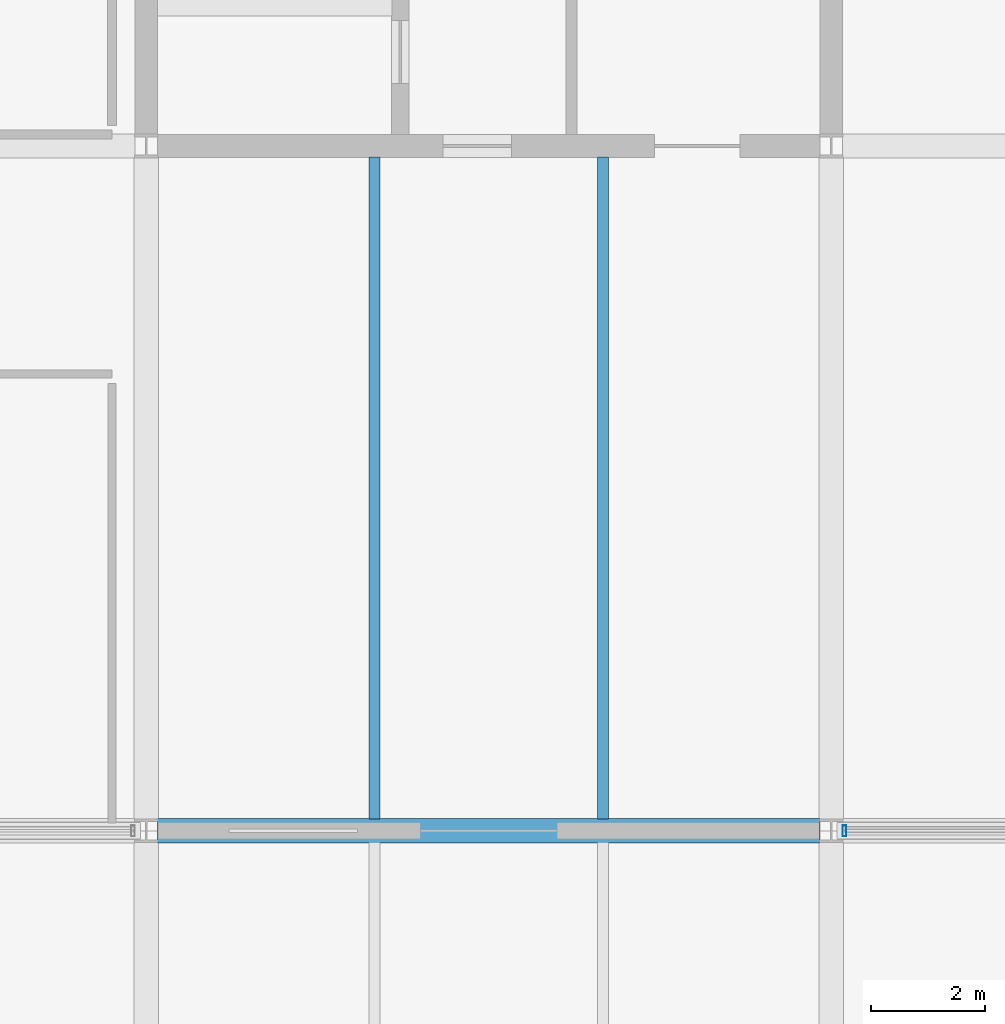
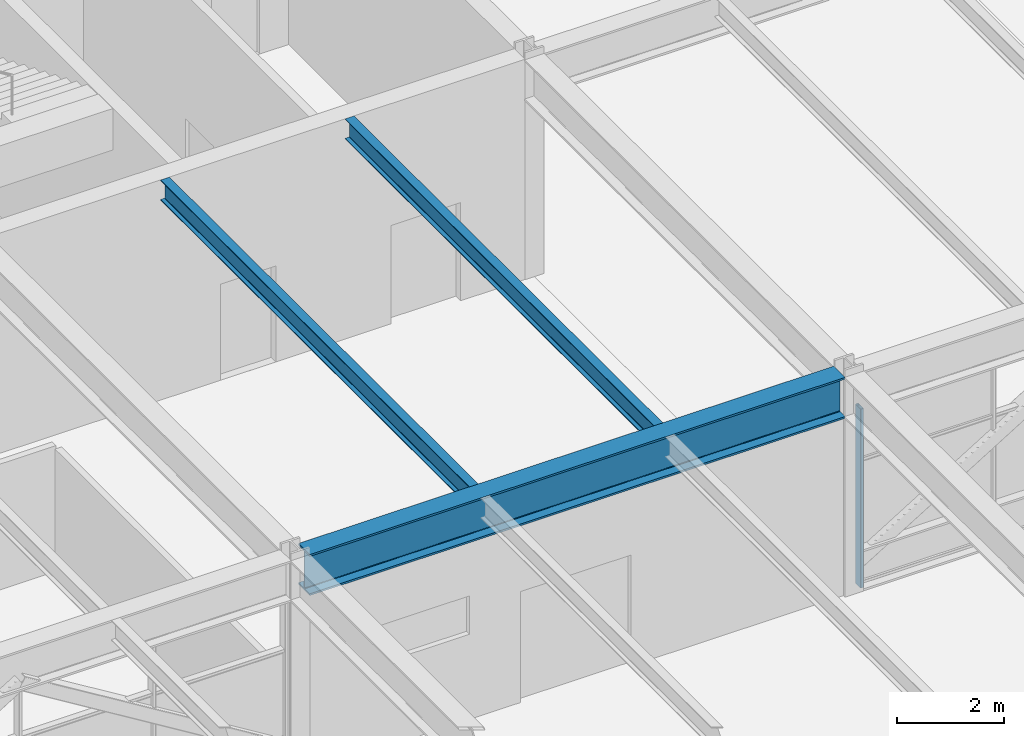
# One storey, part 11 of 42: 3 beams, 1 member, 1 element without a shape of its own.
"""IFC4 building model written with IfcOpenShell, lengths in metres."""

import ifcopenshell
import ifcopenshell.guid

model = None  # the IFC model being written
_history = None  # IfcOwnerHistory: only IFC2X3 demands one
_inside = {}  # id of a spatial element -> (the spatial element, [elements in it])
_under = {}  # id of a project, library or spatial element -> (it, [spatial elements below it])
_declared = {}  # id of a project -> (the project, [libraries it declares])
_typed = {}  # id of a type object -> (the type object, [elements of that type])
_made_of = {}  # id of a material, layer set ... -> (it, [elements and type objects made of it])


def new_model(schema):
    """Start an empty IFC model of exactly this schema.

    Asked for "IFC4X3", IfcOpenShell would pick the latest addendum, in which some entities
    have other attributes; the version numbers below select the first issue.
    IFC2X3 requires an IfcOwnerHistory on every rooted entity: one is made here for all.
    """
    global model, _history
    if schema == "IFC4X3":
        model = ifcopenshell.file(schema_version=(4, 3, 0, 0))
    else:
        model = ifcopenshell.file(schema=schema)
    _inside.clear()
    _under.clear()
    _declared.clear()
    _typed.clear()
    _made_of.clear()
    _history = None
    if model.schema == "IFC2X3":
        org = make("IfcOrganization", Name="unknown")
        user = make(
            "IfcPersonAndOrganization",
            ThePerson=make("IfcPerson", FamilyName="unknown"),
            TheOrganization=org,
        )
        app = make(
            "IfcApplication",
            ApplicationDeveloper=org,
            Version="unknown",
            ApplicationFullName="unknown",
            ApplicationIdentifier="unknown",
        )
        _history = make(
            "IfcOwnerHistory",
            OwningUser=user,
            OwningApplication=app,
            ChangeAction="ADDED",
            CreationDate=0,
        )
    return model


def make(cls, **values):
    """One entity of the class cls with the attributes given. An attribute that is None is left unset."""
    return model.create_entity(
        cls, **{name: value for name, value in values.items() if value is not None}
    )


def rooted(cls, **values):
    """An entity with a GlobalId (a new one), such as an element, a storey or a relation."""
    return make(cls, GlobalId=ifcopenshell.guid.new(), OwnerHistory=_history, **values)


def si_unit(unit_type, name, prefix=None):
    """IfcSIUnit, for example si_unit("LENGTHUNIT", "METRE", prefix="MILLI")."""
    return make("IfcSIUnit", UnitType=unit_type, Prefix=prefix, Name=name)


def assignment(units):
    """IfcUnitAssignment: the units of a project."""
    return None if units is None else make("IfcUnitAssignment", Units=units)


def point(xyz):
    """IfcCartesianPoint."""
    return None if xyz is None else make("IfcCartesianPoint", Coordinates=xyz)


def direction(xyz):
    """IfcDirection."""
    return None if xyz is None else make("IfcDirection", DirectionRatios=xyz)


def frame(location, z_axis=None, x_axis=None):
    """IfcAxis2Placement3D, a coordinate frame: its origin and axes. An axis left out is left unset."""
    return make(
        "IfcAxis2Placement3D",
        Location=point(location),
        Axis=direction(z_axis),
        RefDirection=direction(x_axis),
    )


def frame_2d(location, x_axis=None):
    """IfcAxis2Placement2D, a coordinate frame in the plane: its origin and x axis."""
    return make(
        "IfcAxis2Placement2D", Location=point(location), RefDirection=direction(x_axis)
    )


def origin():
    """The frame at (0, 0, 0) with its axes left unset."""
    return frame((0.0, 0.0, 0.0))


def origin_2d():
    """The frame at (0, 0) in the plane with its x axis left unset."""
    return frame_2d((0.0, 0.0))


def place(relative_to, where):
    """IfcLocalPlacement: puts the frame where relative to a parent placement (None: the world)."""
    return make(
        "IfcLocalPlacement", PlacementRelTo=relative_to, RelativePlacement=where
    )


def context(
    kind, dimensions, precision=None, world=None, true_north=None, identifier=None
):
    """IfcGeometricRepresentationContext, for example the 3D "Model" context."""
    return make(
        "IfcGeometricRepresentationContext",
        ContextIdentifier=identifier,
        ContextType=kind,
        CoordinateSpaceDimension=dimensions,
        Precision=precision,
        WorldCoordinateSystem=world,
        TrueNorth=true_north,
    )


def subcontext(parent, identifier, kind, view, scale=None):
    """IfcGeometricRepresentationSubContext, for example "Body" below "Model"."""
    return make(
        "IfcGeometricRepresentationSubContext",
        ContextIdentifier=identifier,
        ContextType=kind,
        ParentContext=parent,
        TargetScale=scale,
        TargetView=view,
    )


def project(units=None, contexts=None):
    """IfcProject with its units and contexts."""
    return rooted(
        "IfcProject",
        Name="project",
        RepresentationContexts=contexts,
        UnitsInContext=assignment(units),
    )


def spatial(cls, under=None, at=None, **own):
    """A site, building, storey or space (cls), placed at a placement, below another one or the project."""
    s = rooted(cls, ObjectPlacement=at, **own)
    if under is not None:
        _under.setdefault(under.id(), (under, []))[1].append(s)
    return s


def profile(cls, at=None, kind="AREA", **sizes):
    """A parametric profile (cls). Its sizes go by their IFC names, for example OverallWidth=200.0."""
    return make(cls, ProfileType=kind, Position=at, **sizes)


def hollow_rectangle(**sizes):
    """IfcRectangleHollowProfileDef."""
    return profile("IfcRectangleHollowProfileDef", **sizes)


def i_section(**sizes):
    """IfcIShapeProfileDef."""
    return profile("IfcIShapeProfileDef", **sizes)


def extrude(swept, where, along, depth):
    """IfcExtrudedAreaSolid: the profile swept, set in the frame where, extruded along a direction by depth."""
    return make(
        "IfcExtrudedAreaSolid",
        SweptArea=swept,
        Position=where,
        ExtrudedDirection=direction(along),
        Depth=depth,
    )


def shape(context_of_items, identifier, shape_type, items):
    """IfcShapeRepresentation: the items that make up one representation, for example the "Body"."""
    return make(
        "IfcShapeRepresentation",
        ContextOfItems=context_of_items,
        RepresentationIdentifier=identifier,
        RepresentationType=shape_type,
        Items=items,
    )


def material(Name=None, Category=None):
    """IfcMaterial."""
    return make("IfcMaterial", Name=Name, Category=Category)


def material_profile(
    of_material, cross_section, Name=None, Category=None, Priority=None
):
    """IfcMaterialProfile: a cross section and its material."""
    return make(
        "IfcMaterialProfile",
        Name=Name,
        Material=of_material,
        Profile=cross_section,
        Priority=Priority,
        Category=Category,
    )


def profile_set(profiles, Name=None, composite=None):
    """IfcMaterialProfileSet."""
    return make(
        "IfcMaterialProfileSet",
        Name=Name,
        MaterialProfiles=profiles,
        CompositeProfile=composite,
    )


def made_of(thing, what):
    """Note that an element or type object is made of a material, layer set ...; save() writes the relation."""
    if what is not None:
        _made_of.setdefault(what.id(), (what, []))[1].append(thing)
    return thing


def type_object(cls, material=None, **own):
    """A type object (cls), such as IfcWallType, which elements share."""
    return made_of(rooted(cls, **own), material)


def element(
    cls,
    number,
    at=None,
    inside=None,
    cuts=None,
    type_object=None,
    material=None,
    context=None,
    identifier="Body",
    shape_type=None,
    held_by="IfcProductDefinitionShape",
    body=None,
    shapes=None,
    **own,
):
    """One element of the class cls, such as IfcWall. Its Tag is "e" and its number.

    at: its placement. inside: the storey or other place that contains it. cuts: it is an
    opening in that element (IfcRelVoidsElement). A single representation is given by context,
    identifier, shape_type and body (its items); several are given by shapes. held_by: the class
    of the entity that holds the representations. save() writes the other relations.
    """
    e = rooted(cls, Tag="e%d" % number, ObjectPlacement=at, **own)
    if body is not None:
        shapes = [shape(context, identifier, shape_type, body)]
    if shapes is not None:
        e.Representation = make(held_by, Representations=shapes)
    if inside is not None:
        _inside.setdefault(inside.id(), (inside, []))[1].append(e)
    if cuts is not None:
        rooted(
            "IfcRelVoidsElement", RelatingBuildingElement=cuts, RelatedOpeningElement=e
        )
    if type_object is not None:
        _typed.setdefault(type_object.id(), (type_object, []))[1].append(e)
    return made_of(e, material)


def aggregate(whole, parts):
    """IfcRelAggregates: a whole, such as a stair, and the parts it consists of."""
    return rooted("IfcRelAggregates", RelatingObject=whole, RelatedObjects=parts)


def save(model, path):
    """Write the relations noted so far, then the file.

    IfcRelAggregates (storeys below a building ...), IfcRelContainedInSpatialStructure (elements
    in a storey), IfcRelDefinesByType, IfcRelAssociatesMaterial and IfcRelDeclares: one each for
    every whole, place, type object, material and project.
    """
    for whole, parts in _under.values():
        aggregate(whole, parts)
    for where, things in _inside.values():
        rooted(
            "IfcRelContainedInSpatialStructure",
            RelatedElements=things,
            RelatingStructure=where,
        )
    for kind, things in _typed.values():
        rooted("IfcRelDefinesByType", RelatedObjects=things, RelatingType=kind)
    for what, things in _made_of.values():
        rooted("IfcRelAssociatesMaterial", RelatedObjects=things, RelatingMaterial=what)
    for by, libraries in _declared.values():
        rooted("IfcRelDeclares", RelatingContext=by, RelatedDefinitions=libraries)
    model.write(path)


model = new_model("IFC4")

# Units and contexts
model_context = context("Model", 3, precision=1e-05, world=origin(), true_north=direction((0.0, 1.0)))
body_context = subcontext(model_context, "Body", "Model", "MODEL_VIEW")
ifc_project = project(units=[si_unit("LENGTHUNIT", "METRE"), si_unit("AREAUNIT", "SQUARE_METRE"), si_unit("VOLUMEUNIT", "CUBIC_METRE"), si_unit("PLANEANGLEUNIT", "RADIAN"), si_unit("MASSUNIT", "GRAM", prefix="KILO")], contexts=[model_context])

# Site, building, storey
site_placement = place(None, origin())
site = spatial("IfcSite", under=ifc_project, at=site_placement, CompositionType="ELEMENT")
building_placement = place(site_placement, origin())
building = spatial("IfcBuilding", under=site, at=building_placement, Name="Girod Span Mobility Hub", CompositionType="ELEMENT")
storey_placement = place(building_placement, frame((0.0, 0.0, 32.39990234375)))
storey = spatial("IfcBuildingStorey", under=building, at=storey_placement, Name="L08", CompositionType="ELEMENT", Elevation=32.39990234375)

# Beams
ifc_material_1 = material(Name="Steel A992 Grade 50", Category="steel")
ifc_material_profile_1 = material_profile(ifc_material_1, i_section(OverallWidth=0.19189453125, OverallDepth=0.462890625, WebThickness=0.010498046875, FlangeThickness=0.017578125, FilletRadius=0.013916015625, at=origin_2d()), Name="W18X60")
ifc_profile_set_1 = profile_set([ifc_material_profile_1], Name="Steel A992 Grade 50")
beam_type_1 = type_object("IfcBeamType", Name="BM-STL-W18X60", PredefinedType="BEAM", material=ifc_profile_set_1)
for number, where, z_axis, x_axis, name in (
    (1, (52.0, 45.20849609375, 4.80859375), (0.0, 1.0, 0.0), (-1.0, 0.0, 0.0), "Composite Floorbeam 5/D-1 L08"),
    (2, (56.0, 45.20849609375, 4.80859375), (0.0, 1.0, 0.0), (-1.0, 0.0, 0.0), "Composite Floorbeam 5/D-2 L08"),
):
    element("IfcBeam", number, at=place(storey_placement, frame(where, z_axis=z_axis, x_axis=x_axis)), inside=storey, type_object=beam_type_1, Name=name, PredefinedType="BEAM", context=body_context, shape_type="SweptSolid", body=[
        extrude(i_section(OverallWidth=0.19189453125, OverallDepth=0.462890625, WebThickness=0.010498046875, FlangeThickness=0.017578125, FilletRadius=0.013916015625, at=origin_2d()), origin(), (0.0, 0.0, 1.0), 11.594482421875),
    ])
ifc_material_2 = material(Name="Steel A992 Grade 50", Category="steel")
ifc_material_profile_2 = material_profile(ifc_material_2, i_section(OverallWidth=0.423095703125, OverallDepth=0.93994140625, WebThickness=0.02392578125, FlangeThickness=0.042724609375, FilletRadius=0.02392578125, at=origin_2d()), Name="W36X302")
ifc_profile_set_2 = profile_set([ifc_material_profile_2], Name="Steel A992 Grade 50")
beam_type_2 = type_object("IfcBeamType", Name="BM-STL-W36X302", PredefinedType="BEAM", material=ifc_profile_set_2)
beam_placement = place(storey_placement, frame((48.199951171875, 45.0, 4.570068359375), z_axis=(1.0, 0.0, 0.0), x_axis=(0.0, 1.0, 0.0)))
element("IfcBeam", 3, at=beam_placement, inside=storey, type_object=beam_type_2, Name="Girder 5-6/D L08", PredefinedType="BEAM", context=body_context, shape_type="SweptSolid", body=[
    extrude(i_section(OverallWidth=0.423095703125, OverallDepth=0.93994140625, WebThickness=0.02392578125, FlangeThickness=0.042724609375, FilletRadius=0.02392578125, at=origin_2d()), origin(), (0.0, 0.0, 1.0), 11.60009765625),
])

# Curtain wall, member
ifc_material_3 = material(Name="Thermally Broken Anodised Aluminium", Category="aluminium")
curtain_wall_type = type_object("IfcCurtainWallType", Name="CW-1160X410", PredefinedType="USERDEFINED", material=ifc_material_3)
curtain_wall_placement = place(storey_placement, origin())
curtain_wall = element("IfcCurtainWall", 4, at=curtain_wall_placement, inside=storey, type_object=curtain_wall_type, Name="Unitised Curtain Wall CW-L08-S06 L08", ObjectType="UNITISED CURTAIN WALL", PredefinedType="USERDEFINED")
ifc_material_4 = material(Name="Thermally Broken Anodised Aluminium", Category="aluminium")
ifc_material_profile_3 = material_profile(ifc_material_4, hollow_rectangle(XDim=0.199951171875, YDim=0.06494140625, WallThickness=0.00390625, InnerFilletRadius=0.00390625, OuterFilletRadius=0.008056640625, at=origin_2d()), Name="CW-ML-65X200")
ifc_profile_set_3 = profile_set([ifc_material_profile_3], Name="Thermally Broken Anodised Aluminium")
member_type = type_object("IfcMemberType", Name="CWM-ML-1", PredefinedType="MULLION", material=ifc_profile_set_3)
member_placement = place(storey_placement, frame((60.23291015625, 45.0, 0.0), z_axis=(0.0, 0.0, 1.0), x_axis=(0.0, 1.0, 0.0)))
member = element("IfcMember", 5, at=member_placement, type_object=member_type, Name="Curtain Wall Mullion CW-L08-S06-M0", PredefinedType="MULLION", context=body_context, shape_type="SweptSolid", body=[
    extrude(hollow_rectangle(XDim=0.199951171875, YDim=0.06494140625, WallThickness=0.00390625, InnerFilletRadius=0.00390625, OuterFilletRadius=0.008056640625, at=origin_2d()), origin(), (0.0, 0.0, 1.0), 4.10009765625),
])
aggregate(curtain_wall, [member])

save(model, "model.ifc")
